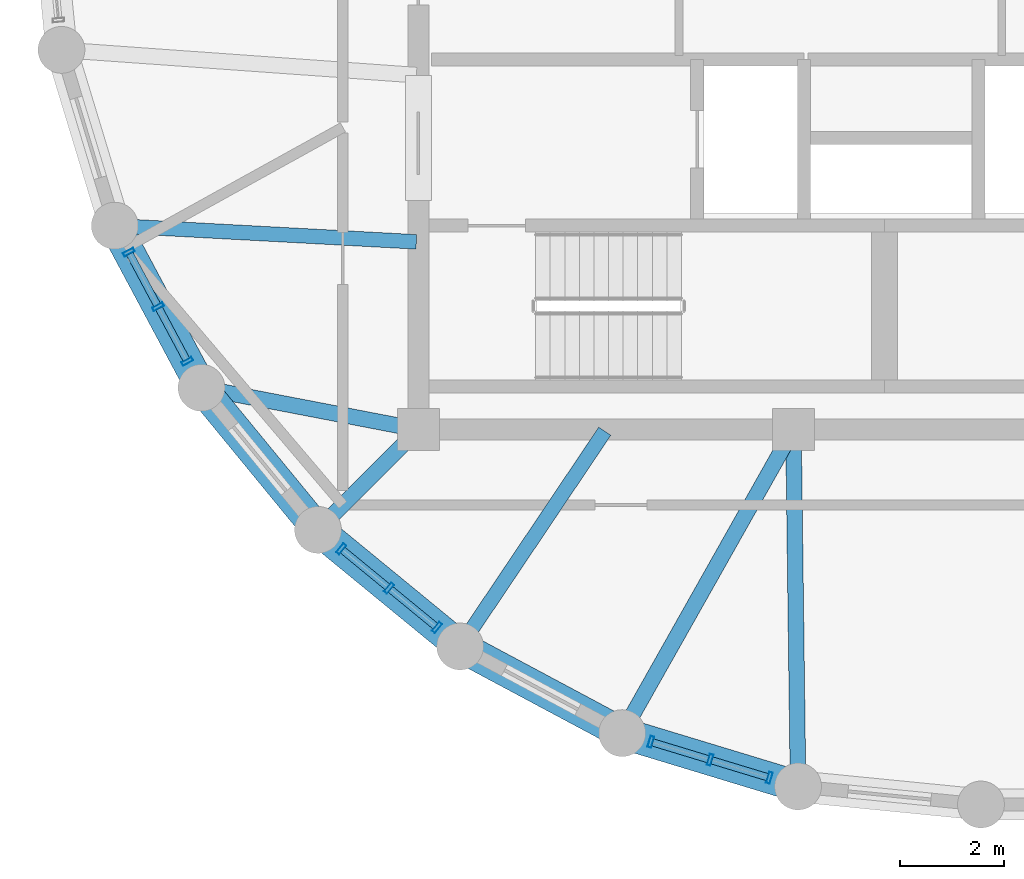
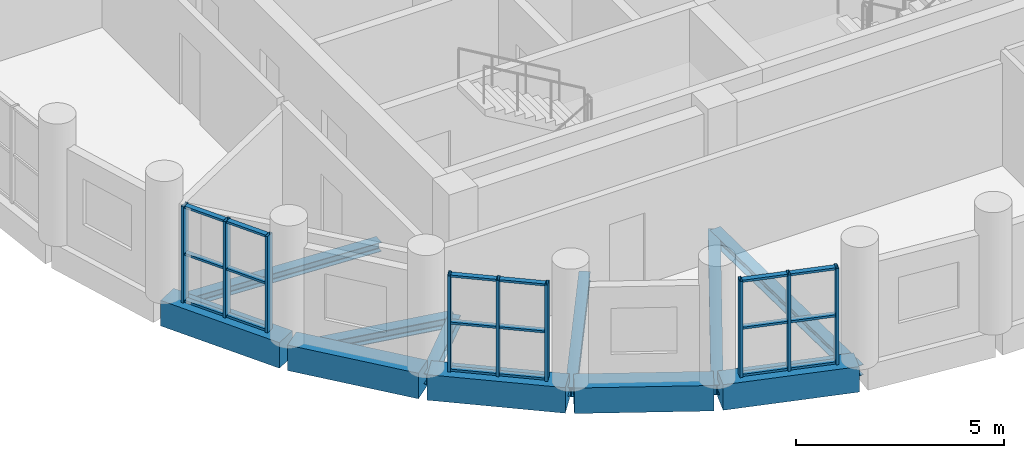
# One storey, part 2 of 11: 27 members, 11 beams, 3 elements without a shape of their own.
"""IFC4 building model written with IfcOpenShell, lengths in metres."""

from ifc_helpers import new_model, si_unit, direction, frame, origin, origin_2d, place, context, subcontext, project, spatial, rectangle, hollow_rectangle, i_section, extrude, material, layer, layer_set, material_profile, profile_set, type_object, element, aggregate, save


model = new_model("IFC4")

# Units and contexts
model_context = context("Model", 3, precision=1e-05, world=origin(), true_north=direction((0.0, 1.0)))
body_context = subcontext(model_context, "Body", "Model", "MODEL_VIEW")
ifc_project = project(units=[si_unit("LENGTHUNIT", "METRE"), si_unit("AREAUNIT", "SQUARE_METRE"), si_unit("VOLUMEUNIT", "CUBIC_METRE"), si_unit("PLANEANGLEUNIT", "RADIAN"), si_unit("MASSUNIT", "GRAM", prefix="KILO")], contexts=[model_context])

# Site, building, storey
site_placement = place(None, origin())
site = spatial("IfcSite", under=ifc_project, at=site_placement, CompositionType="ELEMENT")
building_placement = place(site_placement, origin())
building = spatial("IfcBuilding", under=site, at=building_placement, Name="Solnavia Interchange Tower", CompositionType="ELEMENT")
storey_placement = place(building_placement, frame((0.0, 0.0, 273.800048828125)))
storey = spatial("IfcBuildingStorey", under=building, at=storey_placement, Name="L69", CompositionType="ELEMENT", Elevation=273.800048828125)

# Beams
ifc_material_1 = material(Name="Steel S460", Category="steel")
ifc_material_profile_1 = material_profile(ifc_material_1, i_section(OverallWidth=0.300048828125, OverallDepth=0.300048828125, WebThickness=0.010986328125, FlangeThickness=0.01904296875, FilletRadius=0.027099609375, at=origin_2d()), Name="HEB 300")
ifc_profile_set_1 = profile_set([ifc_material_profile_1], Name="Steel S460")
beam_type_1 = type_object("IfcBeamType", Name="Beam-Girder-HEB300", PredefinedType="BEAM", material=ifc_profile_set_1)
beam_1_placement = place(storey_placement, frame((10.3125, 11.5849609375, -0.400146484375), z_axis=(0.982057527796, -0.188581579428, 0.0), x_axis=(0.188581579428, 0.982057527796, 0.0)))
element("IfcBeam", 1, at=beam_1_placement, inside=storey, type_object=beam_type_1, Name="GRD-L69-DR07 Drum radial floor girder", PredefinedType="BEAM", context=body_context, shape_type="SweptSolid", body=[
    extrude(i_section(OverallWidth=0.300048828125, OverallDepth=0.300048828125, WebThickness=0.010986328125, FlangeThickness=0.01904296875, FilletRadius=0.027099609375, at=origin_2d()), origin(), (0.0, 0.0, 1.0), 4.1220703125),
])
beam_2_placement = place(storey_placement, frame((18.351318359375, 5.039794921875, -0.400146484375), z_axis=(0.491243158486, 0.871022479182, 0.0), x_axis=(-0.871022479182, 0.491243158486, 0.0)))
element("IfcBeam", 2, at=beam_2_placement, inside=storey, type_object=beam_type_1, Name="GRD-L69-DR10 Drum radial floor girder", PredefinedType="BEAM", context=body_context, shape_type="SweptSolid", body=[
    extrude(i_section(OverallWidth=0.300048828125, OverallDepth=0.300048828125, WebThickness=0.010986328125, FlangeThickness=0.01904296875, FilletRadius=0.027099609375, at=origin_2d()), origin(), (0.0, 0.0, 1.0), 6.5732421875),
])
ifc_material_2 = material(Name="Steel S355", Category="steel")
ifc_material_profile_2 = material_profile(ifc_material_2, i_section(OverallWidth=0.280029296875, OverallDepth=0.27001953125, WebThickness=0.008056640625, FlangeThickness=0.012939453125, FilletRadius=0.02392578125, at=origin_2d()), Name="HEA 280")
ifc_profile_set_2 = profile_set([ifc_material_profile_2], Name="Steel S355")
beam_type_2 = type_object("IfcBeamType", Name="Beam-Primary-HEA280", PredefinedType="BEAM", material=ifc_profile_set_2)
beam_3_placement = place(storey_placement, frame((8.64990234375, 14.707763671875, -0.385009765625), z_axis=(0.998570371303, -0.053452909696, 0.0), x_axis=(0.053452909696, 0.998570371303, 0.0)))
element("IfcBeam", 3, at=beam_3_placement, inside=storey, type_object=beam_type_2, Name="GRD-L69-DR06 Drum radial floor girder", PredefinedType="BEAM", context=body_context, shape_type="SweptSolid", body=[
    extrude(i_section(OverallWidth=0.280029296875, OverallDepth=0.27001953125, WebThickness=0.008056640625, FlangeThickness=0.012939453125, FilletRadius=0.02392578125, at=origin_2d()), origin(), (0.0, 0.0, 1.0), 5.71826171875),
])
beam_4_placement = place(storey_placement, frame((15.24462890625, 6.700439453125, -0.385009765625), z_axis=(0.557835474219, 0.829951555033, 0.0), x_axis=(-0.829951555033, 0.557835474219, 0.0)))
element("IfcBeam", 4, at=beam_4_placement, inside=storey, type_object=beam_type_2, Name="GRD-L69-DR09 Drum radial floor girder", PredefinedType="BEAM", context=body_context, shape_type="SweptSolid", body=[
    extrude(i_section(OverallWidth=0.280029296875, OverallDepth=0.27001953125, WebThickness=0.008056640625, FlangeThickness=0.012939453125, FilletRadius=0.02392578125, at=origin_2d()), origin(), (0.0, 0.0, 1.0), 4.899658203125),
])
ifc_material_profile_3 = material_profile(ifc_material_2, i_section(OverallWidth=0.300048828125, OverallDepth=0.31005859375, WebThickness=0.009033203125, FlangeThickness=0.015380859375, FilletRadius=0.027099609375, at=origin_2d()), Name="HEA 320")
ifc_profile_set_3 = profile_set([ifc_material_profile_3], Name="Steel S355")
beam_type_3 = type_object("IfcBeamType", Name="Beam-Primary-HEA320", PredefinedType="BEAM", material=ifc_profile_set_3)
beam_5_placement = place(storey_placement, frame((12.528564453125, 8.9287109375, -0.405029296875), z_axis=(0.707106781187, 0.707106781187, 0.0), x_axis=(-0.707106781187, 0.707106781187, 0.0)))
element("IfcBeam", 5, at=beam_5_placement, inside=storey, type_object=beam_type_3, Name="GRD-L69-DR08 Drum radial floor girder", PredefinedType="BEAM", context=body_context, shape_type="SweptSolid", body=[
    extrude(i_section(OverallWidth=0.300048828125, OverallDepth=0.31005859375, WebThickness=0.009033203125, FlangeThickness=0.015380859375, FilletRadius=0.027099609375, at=origin_2d()), origin(), (0.0, 0.0, 1.0), 2.6064453125),
])
beam_6_placement = place(storey_placement, frame((21.68701171875, 4.02587890625, -0.405029296875), z_axis=(-0.01283293513, 0.999917654498, 0.0), x_axis=(-0.999917654498, -0.01283293513, 0.0)))
element("IfcBeam", 6, at=beam_6_placement, inside=storey, type_object=beam_type_3, Name="GRD-L69-DR11 Drum radial floor girder", PredefinedType="BEAM", context=body_context, shape_type="SweptSolid", body=[
    extrude(i_section(OverallWidth=0.300048828125, OverallDepth=0.31005859375, WebThickness=0.009033203125, FlangeThickness=0.015380859375, FilletRadius=0.027099609375, at=origin_2d()), origin(), (0.0, 0.0, 1.0), 6.734619140625),
])
ifc_material_3 = material(Name="Concrete C50/60", Category="concrete")
ifc_material_profile_4 = material_profile(ifc_material_3, rectangle(XDim=0.60009765625, YDim=0.75, at=origin_2d()), Name="RC 600x750")
ifc_profile_set_4 = profile_set([ifc_material_profile_4], Name="Concrete C50/60")
beam_type_4 = type_object("IfcBeamType", Name="Beam-Spandrel-RC600x750", PredefinedType="SPANDREL", material=ifc_profile_set_4)
beam_7_placement = place(storey_placement, frame((8.607666015625, 14.6416015625, -0.375), z_axis=(0.471509422952, -0.881861023102, 0.0), x_axis=(0.881861023102, 0.471509422952, 0.0)))
element("IfcBeam", 7, at=beam_7_placement, inside=storey, type_object=beam_type_4, Name="SPB-L69-03 Framed-tube perimeter spandrel beam", PredefinedType="SPANDREL", context=body_context, shape_type="SweptSolid", body=[
    extrude(rectangle(XDim=0.60009765625, YDim=0.75, at=origin_2d()), origin(), (0.0, 0.0, 1.0), 3.369140625),
])
for number, where, z_axis, x_axis, name in (
    (8, (10.28466796875, 11.5380859375, -0.375), (0.634298841675, -0.773087950656, 0.0), (0.773087950656, 0.634298841675, 0.0), "SPB-L69-04 Framed-tube perimeter spandrel beam"),
    (9, (12.53369140625, 8.8212890625, -0.375), (0.773152644452, -0.634219984214, 0.0), (0.634219984214, 0.773152644452, 0.0), "SPB-L69-05 Framed-tube perimeter spandrel beam"),
):
    element("IfcBeam", number, at=place(storey_placement, frame(where, z_axis=z_axis, x_axis=x_axis)), inside=storey, type_object=beam_type_4, Name=name, PredefinedType="SPANDREL", context=body_context, shape_type="SweptSolid", body=[
        extrude(rectangle(XDim=0.60009765625, YDim=0.75, at=origin_2d()), origin(), (0.0, 0.0, 1.0), 3.36865234375),
    ])
beam_8_placement = place(storey_placement, frame((15.2705078125, 6.59619140625, -0.375), z_axis=(0.881875044348, -0.47148319817, 0.0), x_axis=(0.47148319817, 0.881875044348, 0.0)))
element("IfcBeam", 10, at=beam_8_placement, inside=storey, type_object=beam_type_4, Name="SPB-L69-06 Framed-tube perimeter spandrel beam", PredefinedType="SPANDREL", context=body_context, shape_type="SweptSolid", body=[
    extrude(rectangle(XDim=0.60009765625, YDim=0.75, at=origin_2d()), origin(), (0.0, 0.0, 1.0), 3.368896484375),
])
beam_9_placement = place(storey_placement, frame((18.388671875, 4.94677734375, -0.375), z_axis=(0.956943884494, -0.290272978297, 0.0), x_axis=(0.290272978297, 0.956943884494, 0.0)))
element("IfcBeam", 11, at=beam_9_placement, inside=storey, type_object=beam_type_4, Name="SPB-L69-07 Framed-tube perimeter spandrel beam", PredefinedType="SPANDREL", context=body_context, shape_type="SweptSolid", body=[
    extrude(rectangle(XDim=0.60009765625, YDim=0.75, at=origin_2d()), origin(), (0.0, 0.0, 1.0), 3.36767578125),
])

# Curtain wall, members
ifc_material_4 = material(Name="Aluminium Alloy 6063-T6", Category="aluminium")
ifc_layer = layer(ifc_material_4, 0.239990234375)
ifc_layer_set = layer_set([ifc_layer], Name="Aluminium Alloy 6063-T6")
curtain_wall_type = type_object("IfcCurtainWallType", Name="CurtainWall-Drum-CTW2", PredefinedType="NOTDEFINED", material=ifc_layer_set)
curtain_wall_1_placement = place(storey_placement, origin())
curtain_wall_1 = element("IfcCurtainWall", 12, at=curtain_wall_1_placement, inside=storey, type_object=curtain_wall_type, Name="CTW-L69-D39 CTW-2 curtain wall", PredefinedType="NOTDEFINED")
ifc_material_profile_5 = material_profile(ifc_material_4, hollow_rectangle(XDim=0.074951171875, YDim=0.219970703125, WallThickness=0.0048828125, at=origin_2d()), Name="ALU 220x75x5")
ifc_profile_set_5 = profile_set([ifc_material_profile_5], Name="Aluminium Alloy 6063-T6")
member_type_1 = type_object("IfcMemberType", Name="CW-Mullion-CWM-2", PredefinedType="MULLION", material=ifc_profile_set_5)
member_1_placement = place(storey_placement, frame((8.841064453125, 14.204833984375, 0.0), z_axis=(0.0, 0.0, 1.0), x_axis=(0.471560876964, -0.881833509976, 0.0)))
member_1 = element("IfcMember", 13, at=member_1_placement, type_object=member_type_1, Name="CTW-2 mullion 1", PredefinedType="MULLION", context=body_context, shape_type="SweptSolid", body=[
    extrude(hollow_rectangle(XDim=0.074951171875, YDim=0.219970703125, WallThickness=0.0048828125, at=origin_2d()), origin(), (0.0, 0.0, 1.0), 2.829833984375),
])
member_2_placement = place(storey_placement, frame((9.402099609375, 13.156005859375, 0.0), z_axis=(0.0, 0.0, 1.0), x_axis=(0.471560876964, -0.881833509976, 0.0)))
member_2 = element("IfcMember", 14, at=member_2_placement, type_object=member_type_1, Name="CTW-2 mullion 2", PredefinedType="MULLION", context=body_context, shape_type="SweptSolid", body=[
    extrude(hollow_rectangle(XDim=0.074951171875, YDim=0.219970703125, WallThickness=0.0048828125, at=origin_2d()), origin(), (0.0, 0.0, 1.0), 2.829833984375),
])
member_3_placement = place(storey_placement, frame((9.962890625, 12.107177734375, 0.0), z_axis=(0.0, 0.0, 1.0), x_axis=(0.471560876964, -0.881833509976, 0.0)))
member_3 = element("IfcMember", 15, at=member_3_placement, type_object=member_type_1, Name="CTW-2 mullion 3", PredefinedType="MULLION", context=body_context, shape_type="SweptSolid", body=[
    extrude(hollow_rectangle(XDim=0.074951171875, YDim=0.219970703125, WallThickness=0.0048828125, at=origin_2d()), origin(), (0.0, 0.0, 1.0), 2.829833984375),
])

curtain_wall_2_placement = place(storey_placement, origin())
curtain_wall_2 = element("IfcCurtainWall", 16, at=curtain_wall_2_placement, inside=storey, type_object=curtain_wall_type, Name="CTW-L69-D41 CTW-2 curtain wall", PredefinedType="NOTDEFINED")
member_4_placement = place(storey_placement, frame((12.91650390625, 8.50732421875, 0.0), z_axis=(0.0, 0.0, 1.0), x_axis=(0.773103093557, -0.634280384951, 0.0)))
member_4 = element("IfcMember", 17, at=member_4_placement, type_object=member_type_1, Name="CTW-2 mullion 1", PredefinedType="MULLION", context=body_context, shape_type="SweptSolid", body=[
    extrude(hollow_rectangle(XDim=0.074951171875, YDim=0.219970703125, WallThickness=0.0048828125, at=origin_2d()), origin(), (0.0, 0.0, 1.0), 2.829833984375),
])
member_5_placement = place(storey_placement, frame((13.8359375, 7.7529296875, 0.0), z_axis=(0.0, 0.0, 1.0), x_axis=(0.773103093557, -0.634280384951, 0.0)))
member_5 = element("IfcMember", 18, at=member_5_placement, type_object=member_type_1, Name="CTW-2 mullion 2", PredefinedType="MULLION", context=body_context, shape_type="SweptSolid", body=[
    extrude(hollow_rectangle(XDim=0.074951171875, YDim=0.219970703125, WallThickness=0.0048828125, at=origin_2d()), origin(), (0.0, 0.0, 1.0), 2.829833984375),
])
member_6_placement = place(storey_placement, frame((14.75537109375, 6.998779296875, 0.0), z_axis=(0.0, 0.0, 1.0), x_axis=(0.773103093557, -0.634280384951, 0.0)))
member_6 = element("IfcMember", 19, at=member_6_placement, type_object=member_type_1, Name="CTW-2 mullion 3", PredefinedType="MULLION", context=body_context, shape_type="SweptSolid", body=[
    extrude(hollow_rectangle(XDim=0.074951171875, YDim=0.219970703125, WallThickness=0.0048828125, at=origin_2d()), origin(), (0.0, 0.0, 1.0), 2.829833984375),
])

curtain_wall_3_placement = place(storey_placement, origin())
curtain_wall_3 = element("IfcCurtainWall", 20, at=curtain_wall_3_placement, inside=storey, type_object=curtain_wall_type, Name="CTW-L69-D43 CTW-2 curtain wall", PredefinedType="NOTDEFINED")
member_7_placement = place(storey_placement, frame((18.8623046875, 4.80322265625, 0.0), z_axis=(0.0, 0.0, 1.0), x_axis=(0.956942072515, -0.290278951786, 0.0)))
member_7 = element("IfcMember", 21, at=member_7_placement, type_object=member_type_1, Name="CTW-2 mullion 1", PredefinedType="MULLION", context=body_context, shape_type="SweptSolid", body=[
    extrude(hollow_rectangle(XDim=0.074951171875, YDim=0.219970703125, WallThickness=0.0048828125, at=origin_2d()), origin(), (0.0, 0.0, 1.0), 2.829833984375),
])
member_8_placement = place(storey_placement, frame((20.0, 4.4580078125, 0.0), z_axis=(0.0, 0.0, 1.0), x_axis=(0.956942072515, -0.290278951786, 0.0)))
member_8 = element("IfcMember", 22, at=member_8_placement, type_object=member_type_1, Name="CTW-2 mullion 2", PredefinedType="MULLION", context=body_context, shape_type="SweptSolid", body=[
    extrude(hollow_rectangle(XDim=0.074951171875, YDim=0.219970703125, WallThickness=0.0048828125, at=origin_2d()), origin(), (0.0, 0.0, 1.0), 2.829833984375),
])
member_9_placement = place(storey_placement, frame((21.1376953125, 4.11279296875, 0.0), z_axis=(0.0, 0.0, 1.0), x_axis=(0.956942072515, -0.290278951786, 0.0)))
member_9 = element("IfcMember", 23, at=member_9_placement, type_object=member_type_1, Name="CTW-2 mullion 3", PredefinedType="MULLION", context=body_context, shape_type="SweptSolid", body=[
    extrude(hollow_rectangle(XDim=0.074951171875, YDim=0.219970703125, WallThickness=0.0048828125, at=origin_2d()), origin(), (0.0, 0.0, 1.0), 2.829833984375),
])

# Member
ifc_material_profile_6 = material_profile(ifc_material_4, hollow_rectangle(XDim=0.06494140625, YDim=0.139892578125, WallThickness=0.00390625, at=origin_2d()), Name="ALU 140x65x4")
ifc_profile_set_6 = profile_set([ifc_material_profile_6], Name="Aluminium Alloy 6063-T6")
member_type_2 = type_object("IfcMemberType", Name="CW-Transom-CWT-2", PredefinedType="USERDEFINED", material=ifc_profile_set_6)
member_10_placement = place(storey_placement, frame((8.85888671875, 14.171875, 0.032470703125), z_axis=(0.471406647105, -0.881915967122, 0.0), x_axis=(0.0, 0.0, 1.0)))
member_10 = element("IfcMember", 24, at=member_10_placement, type_object=member_type_2, Name="CTW-2 transom 1.1", ObjectType="TRANSOM", PredefinedType="USERDEFINED", context=body_context, shape_type="SweptSolid", body=[
    extrude(hollow_rectangle(XDim=0.06494140625, YDim=0.139892578125, WallThickness=0.00390625, at=origin_2d()), origin(), (0.0, 0.0, 1.0), 1.114501953125),
])

member_11_placement = place(storey_placement, frame((8.85888671875, 14.171875, 1.4150390625), z_axis=(0.471406647105, -0.881915967122, 0.0), x_axis=(0.0, 0.0, 1.0)))
member_11 = element("IfcMember", 25, at=member_11_placement, type_object=member_type_2, Name="CTW-2 transom 1.2", ObjectType="TRANSOM", PredefinedType="USERDEFINED", context=body_context, shape_type="SweptSolid", body=[
    extrude(hollow_rectangle(XDim=0.06494140625, YDim=0.139892578125, WallThickness=0.00390625, at=origin_2d()), origin(), (0.0, 0.0, 1.0), 1.114501953125),
])

member_12_placement = place(storey_placement, frame((8.85888671875, 14.171875, 2.79736328125), z_axis=(0.471406647105, -0.881915967122, 0.0), x_axis=(0.0, 0.0, 1.0)))
member_12 = element("IfcMember", 26, at=member_12_placement, type_object=member_type_2, Name="CTW-2 transom 1.3", ObjectType="TRANSOM", PredefinedType="USERDEFINED", context=body_context, shape_type="SweptSolid", body=[
    extrude(hollow_rectangle(XDim=0.06494140625, YDim=0.139892578125, WallThickness=0.00390625, at=origin_2d()), origin(), (0.0, 0.0, 1.0), 1.114501953125),
])

member_13_placement = place(storey_placement, frame((9.419677734375, 13.123046875, 0.032470703125), z_axis=(0.471576996491, -0.881824889862, 0.0), x_axis=(0.0, 0.0, 1.0)))
member_13 = element("IfcMember", 27, at=member_13_placement, type_object=member_type_2, Name="CTW-2 transom 2.1", ObjectType="TRANSOM", PredefinedType="USERDEFINED", context=body_context, shape_type="SweptSolid", body=[
    extrude(hollow_rectangle(XDim=0.06494140625, YDim=0.139892578125, WallThickness=0.00390625, at=origin_2d()), origin(), (0.0, 0.0, 1.0), 1.11474609375),
])

member_14_placement = place(storey_placement, frame((9.419677734375, 13.123046875, 1.4150390625), z_axis=(0.471576996491, -0.881824889862, 0.0), x_axis=(0.0, 0.0, 1.0)))
member_14 = element("IfcMember", 28, at=member_14_placement, type_object=member_type_2, Name="CTW-2 transom 2.2", ObjectType="TRANSOM", PredefinedType="USERDEFINED", context=body_context, shape_type="SweptSolid", body=[
    extrude(hollow_rectangle(XDim=0.06494140625, YDim=0.139892578125, WallThickness=0.00390625, at=origin_2d()), origin(), (0.0, 0.0, 1.0), 1.11474609375),
])

member_15_placement = place(storey_placement, frame((9.419677734375, 13.123046875, 2.79736328125), z_axis=(0.471576996491, -0.881824889862, 0.0), x_axis=(0.0, 0.0, 1.0)))
member_15 = element("IfcMember", 29, at=member_15_placement, type_object=member_type_2, Name="CTW-2 transom 2.3", ObjectType="TRANSOM", PredefinedType="USERDEFINED", context=body_context, shape_type="SweptSolid", body=[
    extrude(hollow_rectangle(XDim=0.06494140625, YDim=0.139892578125, WallThickness=0.00390625, at=origin_2d()), origin(), (0.0, 0.0, 1.0), 1.11474609375),
])

aggregate(curtain_wall_1, [member_1, member_2, member_3, member_10, member_11, member_12, member_13, member_14, member_15])

member_16_placement = place(storey_placement, frame((12.945556640625, 8.483642578125, 0.032470703125), z_axis=(0.773136723636, -0.634239392158, 0.0), x_axis=(0.0, 0.0, 1.0)))
member_16 = element("IfcMember", 30, at=member_16_placement, type_object=member_type_2, Name="CTW-2 transom 1.1", ObjectType="TRANSOM", PredefinedType="USERDEFINED", context=body_context, shape_type="SweptSolid", body=[
    extrude(hollow_rectangle(XDim=0.06494140625, YDim=0.139892578125, WallThickness=0.00390625, at=origin_2d()), origin(), (0.0, 0.0, 1.0), 1.114501953125),
])

member_17_placement = place(storey_placement, frame((12.945556640625, 8.483642578125, 1.4150390625), z_axis=(0.773136723636, -0.634239392158, 0.0), x_axis=(0.0, 0.0, 1.0)))
member_17 = element("IfcMember", 31, at=member_17_placement, type_object=member_type_2, Name="CTW-2 transom 1.2", ObjectType="TRANSOM", PredefinedType="USERDEFINED", context=body_context, shape_type="SweptSolid", body=[
    extrude(hollow_rectangle(XDim=0.06494140625, YDim=0.139892578125, WallThickness=0.00390625, at=origin_2d()), origin(), (0.0, 0.0, 1.0), 1.114501953125),
])

member_18_placement = place(storey_placement, frame((12.945556640625, 8.483642578125, 2.79736328125), z_axis=(0.773136723636, -0.634239392158, 0.0), x_axis=(0.0, 0.0, 1.0)))
member_18 = element("IfcMember", 32, at=member_18_placement, type_object=member_type_2, Name="CTW-2 transom 1.3", ObjectType="TRANSOM", PredefinedType="USERDEFINED", context=body_context, shape_type="SweptSolid", body=[
    extrude(hollow_rectangle(XDim=0.06494140625, YDim=0.139892578125, WallThickness=0.00390625, at=origin_2d()), origin(), (0.0, 0.0, 1.0), 1.114501953125),
])

member_19_placement = place(storey_placement, frame((13.864990234375, 7.729248046875, 0.032470703125), z_axis=(0.773048573819, -0.634346831407, 0.0), x_axis=(0.0, 0.0, 1.0)))
member_19 = element("IfcMember", 33, at=member_19_placement, type_object=member_type_2, Name="CTW-2 transom 2.1", ObjectType="TRANSOM", PredefinedType="USERDEFINED", context=body_context, shape_type="SweptSolid", body=[
    extrude(hollow_rectangle(XDim=0.06494140625, YDim=0.139892578125, WallThickness=0.00390625, at=origin_2d()), origin(), (0.0, 0.0, 1.0), 1.1142578125),
])

member_20_placement = place(storey_placement, frame((13.864990234375, 7.729248046875, 1.4150390625), z_axis=(0.773048573819, -0.634346831407, 0.0), x_axis=(0.0, 0.0, 1.0)))
member_20 = element("IfcMember", 34, at=member_20_placement, type_object=member_type_2, Name="CTW-2 transom 2.2", ObjectType="TRANSOM", PredefinedType="USERDEFINED", context=body_context, shape_type="SweptSolid", body=[
    extrude(hollow_rectangle(XDim=0.06494140625, YDim=0.139892578125, WallThickness=0.00390625, at=origin_2d()), origin(), (0.0, 0.0, 1.0), 1.1142578125),
])

member_21_placement = place(storey_placement, frame((13.864990234375, 7.729248046875, 2.79736328125), z_axis=(0.773048573819, -0.634346831407, 0.0), x_axis=(0.0, 0.0, 1.0)))
member_21 = element("IfcMember", 35, at=member_21_placement, type_object=member_type_2, Name="CTW-2 transom 2.3", ObjectType="TRANSOM", PredefinedType="USERDEFINED", context=body_context, shape_type="SweptSolid", body=[
    extrude(hollow_rectangle(XDim=0.06494140625, YDim=0.139892578125, WallThickness=0.00390625, at=origin_2d()), origin(), (0.0, 0.0, 1.0), 1.1142578125),
])

aggregate(curtain_wall_2, [member_4, member_5, member_6, member_16, member_17, member_18, member_19, member_20, member_21])

member_22_placement = place(storey_placement, frame((18.898193359375, 4.792236328125, 0.032470703125), z_axis=(0.956965394332, -0.290202057283, 0.0), x_axis=(0.0, 0.0, 1.0)))
member_22 = element("IfcMember", 36, at=member_22_placement, type_object=member_type_2, Name="CTW-2 transom 1.1", ObjectType="TRANSOM", PredefinedType="USERDEFINED", context=body_context, shape_type="SweptSolid", body=[
    extrude(hollow_rectangle(XDim=0.06494140625, YDim=0.139892578125, WallThickness=0.00390625, at=origin_2d()), origin(), (0.0, 0.0, 1.0), 1.11376953125),
])

member_23_placement = place(storey_placement, frame((18.898193359375, 4.792236328125, 1.4150390625), z_axis=(0.956965394332, -0.290202057283, 0.0), x_axis=(0.0, 0.0, 1.0)))
member_23 = element("IfcMember", 37, at=member_23_placement, type_object=member_type_2, Name="CTW-2 transom 1.2", ObjectType="TRANSOM", PredefinedType="USERDEFINED", context=body_context, shape_type="SweptSolid", body=[
    extrude(hollow_rectangle(XDim=0.06494140625, YDim=0.139892578125, WallThickness=0.00390625, at=origin_2d()), origin(), (0.0, 0.0, 1.0), 1.11376953125),
])

member_24_placement = place(storey_placement, frame((18.898193359375, 4.792236328125, 2.79736328125), z_axis=(0.956965394332, -0.290202057283, 0.0), x_axis=(0.0, 0.0, 1.0)))
member_24 = element("IfcMember", 38, at=member_24_placement, type_object=member_type_2, Name="CTW-2 transom 1.3", ObjectType="TRANSOM", PredefinedType="USERDEFINED", context=body_context, shape_type="SweptSolid", body=[
    extrude(hollow_rectangle(XDim=0.06494140625, YDim=0.139892578125, WallThickness=0.00390625, at=origin_2d()), origin(), (0.0, 0.0, 1.0), 1.11376953125),
])

member_25_placement = place(storey_placement, frame((20.035888671875, 4.447021484375, 0.032470703125), z_axis=(0.956965394332, -0.290202057283, 0.0), x_axis=(0.0, 0.0, 1.0)))
member_25 = element("IfcMember", 39, at=member_25_placement, type_object=member_type_2, Name="CTW-2 transom 2.1", ObjectType="TRANSOM", PredefinedType="USERDEFINED", context=body_context, shape_type="SweptSolid", body=[
    extrude(hollow_rectangle(XDim=0.06494140625, YDim=0.139892578125, WallThickness=0.00390625, at=origin_2d()), origin(), (0.0, 0.0, 1.0), 1.11376953125),
])

member_26_placement = place(storey_placement, frame((20.035888671875, 4.447021484375, 1.4150390625), z_axis=(0.956965394332, -0.290202057283, 0.0), x_axis=(0.0, 0.0, 1.0)))
member_26 = element("IfcMember", 40, at=member_26_placement, type_object=member_type_2, Name="CTW-2 transom 2.2", ObjectType="TRANSOM", PredefinedType="USERDEFINED", context=body_context, shape_type="SweptSolid", body=[
    extrude(hollow_rectangle(XDim=0.06494140625, YDim=0.139892578125, WallThickness=0.00390625, at=origin_2d()), origin(), (0.0, 0.0, 1.0), 1.11376953125),
])

member_27_placement = place(storey_placement, frame((20.035888671875, 4.447021484375, 2.79736328125), z_axis=(0.956965394332, -0.290202057283, 0.0), x_axis=(0.0, 0.0, 1.0)))
member_27 = element("IfcMember", 41, at=member_27_placement, type_object=member_type_2, Name="CTW-2 transom 2.3", ObjectType="TRANSOM", PredefinedType="USERDEFINED", context=body_context, shape_type="SweptSolid", body=[
    extrude(hollow_rectangle(XDim=0.06494140625, YDim=0.139892578125, WallThickness=0.00390625, at=origin_2d()), origin(), (0.0, 0.0, 1.0), 1.11376953125),
])

aggregate(curtain_wall_3, [member_7, member_8, member_9, member_22, member_23, member_24, member_25, member_26, member_27])

save(model, "model.ifc")
